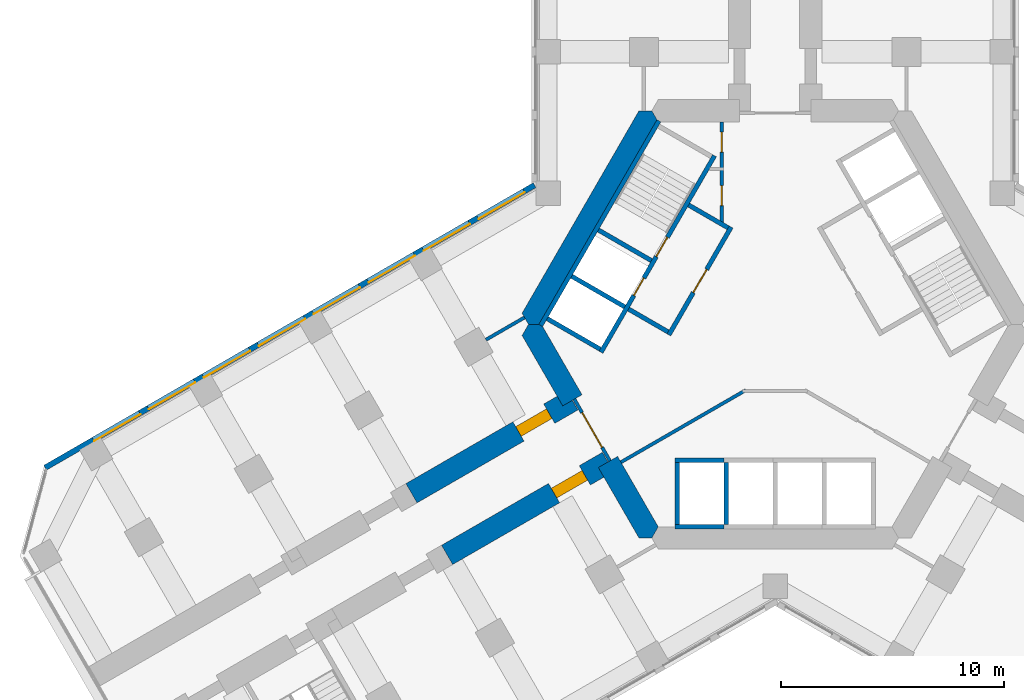
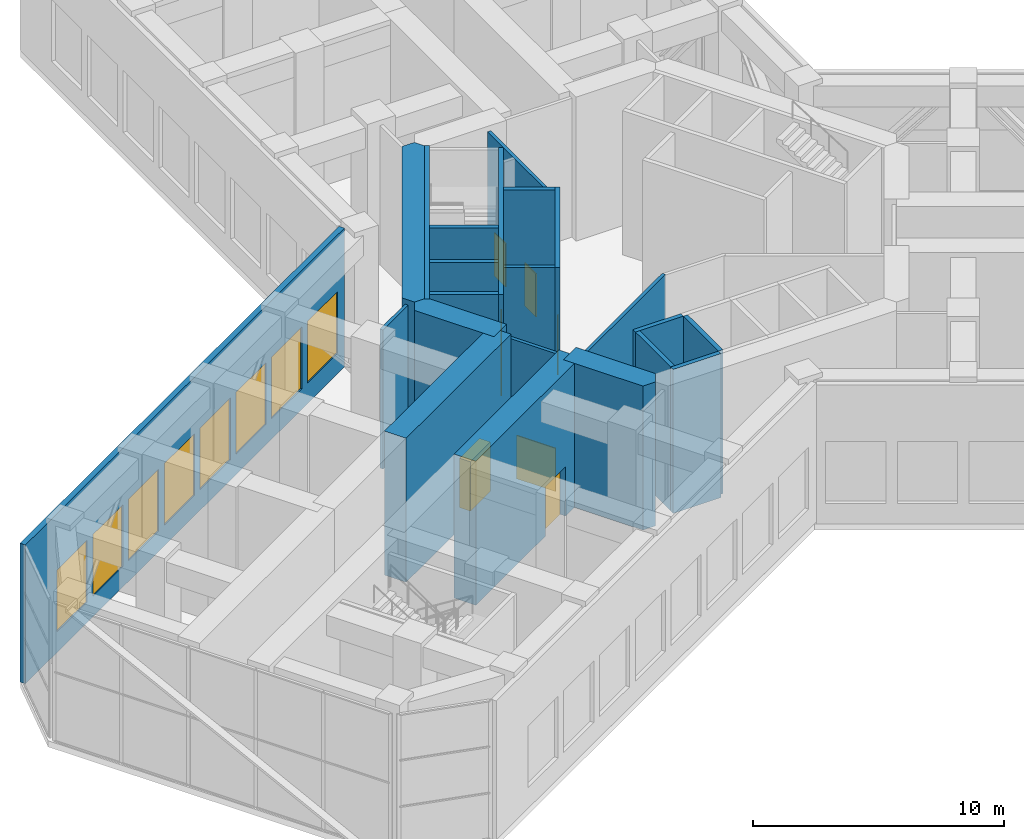
# One storey, part 11 of 17: 22 walls, 8 doors, 8 windows, 16 openings.
"""IFC4 building model written with IfcOpenShell, lengths in metres."""

import ifcopenshell
import ifcopenshell.guid

model = None  # the IFC model being written
_history = None  # IfcOwnerHistory: only IFC2X3 demands one
_inside = {}  # id of a spatial element -> (the spatial element, [elements in it])
_under = {}  # id of a project, library or spatial element -> (it, [spatial elements below it])
_declared = {}  # id of a project -> (the project, [libraries it declares])
_typed = {}  # id of a type object -> (the type object, [elements of that type])
_made_of = {}  # id of a material, layer set ... -> (it, [elements and type objects made of it])


def new_model(schema):
    """Start an empty IFC model of exactly this schema.

    Asked for "IFC4X3", IfcOpenShell would pick the latest addendum, in which some entities
    have other attributes; the version numbers below select the first issue.
    IFC2X3 requires an IfcOwnerHistory on every rooted entity: one is made here for all.
    """
    global model, _history
    if schema == "IFC4X3":
        model = ifcopenshell.file(schema_version=(4, 3, 0, 0))
    else:
        model = ifcopenshell.file(schema=schema)
    _inside.clear()
    _under.clear()
    _declared.clear()
    _typed.clear()
    _made_of.clear()
    _history = None
    if model.schema == "IFC2X3":
        org = make("IfcOrganization", Name="unknown")
        user = make(
            "IfcPersonAndOrganization",
            ThePerson=make("IfcPerson", FamilyName="unknown"),
            TheOrganization=org,
        )
        app = make(
            "IfcApplication",
            ApplicationDeveloper=org,
            Version="unknown",
            ApplicationFullName="unknown",
            ApplicationIdentifier="unknown",
        )
        _history = make(
            "IfcOwnerHistory",
            OwningUser=user,
            OwningApplication=app,
            ChangeAction="ADDED",
            CreationDate=0,
        )
    return model


def make(cls, **values):
    """One entity of the class cls with the attributes given. An attribute that is None is left unset."""
    return model.create_entity(
        cls, **{name: value for name, value in values.items() if value is not None}
    )


def rooted(cls, **values):
    """An entity with a GlobalId (a new one), such as an element, a storey or a relation."""
    return make(cls, GlobalId=ifcopenshell.guid.new(), OwnerHistory=_history, **values)


def si_unit(unit_type, name, prefix=None):
    """IfcSIUnit, for example si_unit("LENGTHUNIT", "METRE", prefix="MILLI")."""
    return make("IfcSIUnit", UnitType=unit_type, Prefix=prefix, Name=name)


def assignment(units):
    """IfcUnitAssignment: the units of a project."""
    return None if units is None else make("IfcUnitAssignment", Units=units)


def point(xyz):
    """IfcCartesianPoint."""
    return None if xyz is None else make("IfcCartesianPoint", Coordinates=xyz)


def direction(xyz):
    """IfcDirection."""
    return None if xyz is None else make("IfcDirection", DirectionRatios=xyz)


def frame(location, z_axis=None, x_axis=None):
    """IfcAxis2Placement3D, a coordinate frame: its origin and axes. An axis left out is left unset."""
    return make(
        "IfcAxis2Placement3D",
        Location=point(location),
        Axis=direction(z_axis),
        RefDirection=direction(x_axis),
    )


def frame_2d(location, x_axis=None):
    """IfcAxis2Placement2D, a coordinate frame in the plane: its origin and x axis."""
    return make(
        "IfcAxis2Placement2D", Location=point(location), RefDirection=direction(x_axis)
    )


def origin():
    """The frame at (0, 0, 0) with its axes left unset."""
    return frame((0.0, 0.0, 0.0))


def place(relative_to, where):
    """IfcLocalPlacement: puts the frame where relative to a parent placement (None: the world)."""
    return make(
        "IfcLocalPlacement", PlacementRelTo=relative_to, RelativePlacement=where
    )


def context(
    kind, dimensions, precision=None, world=None, true_north=None, identifier=None
):
    """IfcGeometricRepresentationContext, for example the 3D "Model" context."""
    return make(
        "IfcGeometricRepresentationContext",
        ContextIdentifier=identifier,
        ContextType=kind,
        CoordinateSpaceDimension=dimensions,
        Precision=precision,
        WorldCoordinateSystem=world,
        TrueNorth=true_north,
    )


def subcontext(parent, identifier, kind, view, scale=None):
    """IfcGeometricRepresentationSubContext, for example "Body" below "Model"."""
    return make(
        "IfcGeometricRepresentationSubContext",
        ContextIdentifier=identifier,
        ContextType=kind,
        ParentContext=parent,
        TargetScale=scale,
        TargetView=view,
    )


def project(units=None, contexts=None):
    """IfcProject with its units and contexts."""
    return rooted(
        "IfcProject",
        Name="project",
        RepresentationContexts=contexts,
        UnitsInContext=assignment(units),
    )


def spatial(cls, under=None, at=None, **own):
    """A site, building, storey or space (cls), placed at a placement, below another one or the project."""
    s = rooted(cls, ObjectPlacement=at, **own)
    if under is not None:
        _under.setdefault(under.id(), (under, []))[1].append(s)
    return s


def polyline(points):
    """IfcPolyline through the points."""
    return make("IfcPolyline", Points=[point(p) for p in points])


def profile(cls, at=None, kind="AREA", **sizes):
    """A parametric profile (cls). Its sizes go by their IFC names, for example OverallWidth=200.0."""
    return make(cls, ProfileType=kind, Position=at, **sizes)


def rectangle(**sizes):
    """IfcRectangleProfileDef."""
    return profile("IfcRectangleProfileDef", **sizes)


def outline(outer, holes=None, kind="AREA"):
    """IfcArbitraryClosedProfileDef: a profile drawn as a closed curve; with holes, ...WithVoids."""
    if holes is None:
        return make("IfcArbitraryClosedProfileDef", ProfileType=kind, OuterCurve=outer)
    return make(
        "IfcArbitraryProfileDefWithVoids",
        ProfileType=kind,
        OuterCurve=outer,
        InnerCurves=holes,
    )


def extrude(swept, where, along, depth):
    """IfcExtrudedAreaSolid: the profile swept, set in the frame where, extruded along a direction by depth."""
    return make(
        "IfcExtrudedAreaSolid",
        SweptArea=swept,
        Position=where,
        ExtrudedDirection=direction(along),
        Depth=depth,
    )


def shape(context_of_items, identifier, shape_type, items):
    """IfcShapeRepresentation: the items that make up one representation, for example the "Body"."""
    return make(
        "IfcShapeRepresentation",
        ContextOfItems=context_of_items,
        RepresentationIdentifier=identifier,
        RepresentationType=shape_type,
        Items=items,
    )


def material(Name=None, Category=None):
    """IfcMaterial."""
    return make("IfcMaterial", Name=Name, Category=Category)


def layer(
    of_material, thickness, ventilated=None, Name=None, Category=None, Priority=None
):
    """IfcMaterialLayer: one layer of a wall or slab, of a material (None: an air gap)."""
    return make(
        "IfcMaterialLayer",
        Material=of_material,
        LayerThickness=thickness,
        IsVentilated=ventilated,
        Name=Name,
        Category=Category,
        Priority=Priority,
    )


def layer_set(layers, Name=None):
    """IfcMaterialLayerSet."""
    return make("IfcMaterialLayerSet", MaterialLayers=layers, LayerSetName=Name)


def made_of(thing, what):
    """Note that an element or type object is made of a material, layer set ...; save() writes the relation."""
    if what is not None:
        _made_of.setdefault(what.id(), (what, []))[1].append(thing)
    return thing


def type_object(cls, material=None, **own):
    """A type object (cls), such as IfcWallType, which elements share."""
    return made_of(rooted(cls, **own), material)


def element(
    cls,
    number,
    at=None,
    inside=None,
    cuts=None,
    type_object=None,
    material=None,
    context=None,
    identifier="Body",
    shape_type=None,
    held_by="IfcProductDefinitionShape",
    body=None,
    shapes=None,
    **own,
):
    """One element of the class cls, such as IfcWall. Its Tag is "e" and its number.

    at: its placement. inside: the storey or other place that contains it. cuts: it is an
    opening in that element (IfcRelVoidsElement). A single representation is given by context,
    identifier, shape_type and body (its items); several are given by shapes. held_by: the class
    of the entity that holds the representations. save() writes the other relations.
    """
    e = rooted(cls, Tag="e%d" % number, ObjectPlacement=at, **own)
    if body is not None:
        shapes = [shape(context, identifier, shape_type, body)]
    if shapes is not None:
        e.Representation = make(held_by, Representations=shapes)
    if inside is not None:
        _inside.setdefault(inside.id(), (inside, []))[1].append(e)
    if cuts is not None:
        rooted(
            "IfcRelVoidsElement", RelatingBuildingElement=cuts, RelatedOpeningElement=e
        )
    if type_object is not None:
        _typed.setdefault(type_object.id(), (type_object, []))[1].append(e)
    return made_of(e, material)


def fill(opening, filler):
    """IfcRelFillsElement: the door or window that sits in an opening."""
    return rooted(
        "IfcRelFillsElement",
        RelatingOpeningElement=opening,
        RelatedBuildingElement=filler,
    )


def aggregate(whole, parts):
    """IfcRelAggregates: a whole, such as a stair, and the parts it consists of."""
    return rooted("IfcRelAggregates", RelatingObject=whole, RelatedObjects=parts)


def save(model, path):
    """Write the relations noted so far, then the file.

    IfcRelAggregates (storeys below a building ...), IfcRelContainedInSpatialStructure (elements
    in a storey), IfcRelDefinesByType, IfcRelAssociatesMaterial and IfcRelDeclares: one each for
    every whole, place, type object, material and project.
    """
    for whole, parts in _under.values():
        aggregate(whole, parts)
    for where, things in _inside.values():
        rooted(
            "IfcRelContainedInSpatialStructure",
            RelatedElements=things,
            RelatingStructure=where,
        )
    for kind, things in _typed.values():
        rooted("IfcRelDefinesByType", RelatedObjects=things, RelatingType=kind)
    for what, things in _made_of.values():
        rooted("IfcRelAssociatesMaterial", RelatedObjects=things, RelatingMaterial=what)
    for by, libraries in _declared.values():
        rooted("IfcRelDeclares", RelatingContext=by, RelatedDefinitions=libraries)
    model.write(path)


model = new_model("IFC4")

# Units and contexts
model_context = context("Model", 3, precision=1e-05, world=origin(), true_north=direction((0.0, 1.0)))
body_context = subcontext(model_context, "Body", "Model", "MODEL_VIEW")
ifc_project = project(units=[si_unit("LENGTHUNIT", "METRE"), si_unit("AREAUNIT", "SQUARE_METRE"), si_unit("VOLUMEUNIT", "CUBIC_METRE"), si_unit("PLANEANGLEUNIT", "RADIAN"), si_unit("MASSUNIT", "GRAM", prefix="KILO")], contexts=[model_context])

# Site, building, storey
site_placement = place(None, origin())
site = spatial("IfcSite", under=ifc_project, at=site_placement, CompositionType="ELEMENT")
building_placement = place(site_placement, origin())
building = spatial("IfcBuilding", under=site, at=building_placement, Name="Kosmar Iwan School Tower", CompositionType="ELEMENT")
storey_placement = place(building_placement, frame((0.0, 0.0, 32.39990234375)))
storey = spatial("IfcBuildingStorey", under=building, at=storey_placement, Name="L07", CompositionType="ELEMENT", Elevation=32.39990234375)

# Wall, openings, doors
ifc_material_1 = material(Name="Gypsum board on steel studs, fire-rated", Category="steel")
ifc_layer_1 = layer(ifc_material_1, 0.14990234375)
ifc_layer_set_1 = layer_set([ifc_layer_1], Name="Core room partition 150")
wall_type_1 = type_object("IfcWallType", Name="Core room partition 150", PredefinedType="PARTITIONING", material=ifc_layer_set_1)
wall_1_placement = place(storey_placement, frame((-2.39990234375, 9.094970703125, 0.0), z_axis=(0.0, 0.0, 1.0), x_axis=(0.0, -1.0, 0.0)))
wall_1 = element("IfcWall", 1, at=wall_1_placement, inside=storey, type_object=wall_type_1, Name="Core room partition L07-CW1", PredefinedType="PARTITIONING", context=body_context, shape_type="SweptSolid", body=[
    extrude(rectangle(XDim=4.564208984375, YDim=0.14990234375, at=frame_2d((2.2822265625, 0.0))), origin(), (0.0, 0.0, 1.0), 6.75),
])
opening_1_placement = place(wall_1_placement, frame((0.455078125, 0.0, 0.0)))
opening_1 = element("IfcOpeningElement", 2, at=opening_1_placement, cuts=wall_1, Name="Opening D14", PredefinedType="OPENING", context=body_context, shape_type="SweptSolid", body=[
    extrude(rectangle(XDim=0.89990234375, YDim=2.10009765625, at=frame_2d((0.449951171875, 1.050048828125))), frame((0.0, 0.0869140625, 0.0), z_axis=(0.0, -1.0, 0.0), x_axis=(1.0, 0.0, 0.0)), (0.0, 0.0, 1.0), 0.173828125),
])
opening_2_placement = place(wall_1_placement, frame((2.85498046875, 0.0, 0.0)))
opening_2 = element("IfcOpeningElement", 3, at=opening_2_placement, cuts=wall_1, Name="Opening D14", PredefinedType="OPENING", context=body_context, shape_type="SweptSolid", body=[
    extrude(rectangle(XDim=0.89990234375, YDim=2.10009765625, at=frame_2d((0.449951171875, 1.050048828125))), frame((0.0, 0.0869140625, 0.0), z_axis=(0.0, -1.0, 0.0), x_axis=(1.0, 0.0, 0.0)), (0.0, 0.0, 1.0), 0.173828125),
])
ifc_material_2 = material(Name="Timber fire door in steel frame", Category="steel")
door_type_1 = type_object("IfcDoorType", Name="Core room door 900x2100", OperationType="SINGLE_SWING_LEFT", PredefinedType="DOOR", material=ifc_material_2)
door_1_placement = place(opening_1_placement, origin())
door_1 = element("IfcDoor", 4, at=door_1_placement, inside=storey, type_object=door_type_1, Name="Electrical riser and switch room door L07 1", OperationType="SINGLE_SWING_LEFT", OverallHeight=2.10009765625, OverallWidth=0.89990234375, PredefinedType="DOOR", context=body_context, shape_type="SweptSolid", body=[
    extrude(rectangle(XDim=0.89990234375, YDim=2.10009765625, at=frame_2d((0.449951171875, 1.050048828125))), frame((0.0, 0.02490234375, 0.0), z_axis=(0.0, -1.0, 0.0), x_axis=(1.0, 0.0, 0.0)), (0.0, 0.0, 1.0), 0.050048828125),
])
fill(opening_1, door_1)
door_2_placement = place(opening_2_placement, origin())
door_2 = element("IfcDoor", 5, at=door_2_placement, inside=storey, type_object=door_type_1, Name="Plumbing and wet riser door L07 2", OperationType="SINGLE_SWING_RIGHT", OverallHeight=2.10009765625, OverallWidth=0.89990234375, PredefinedType="DOOR", context=body_context, shape_type="SweptSolid", body=[
    extrude(rectangle(XDim=0.89990234375, YDim=2.10009765625, at=frame_2d((0.449951171875, 1.050048828125))), frame((0.0, 0.02490234375, 0.0), z_axis=(0.0, -1.0, 0.0), x_axis=(1.0, 0.0, 0.0)), (0.0, 0.0, 1.0), 0.050048828125),
])
fill(opening_2, door_2)

# Walls
wall_2_placement = place(storey_placement, frame((-6.930908203125, -6.195556640625, 0.0), z_axis=(0.0, 0.0, 1.0), x_axis=(0.866031188953, 0.499989979661, 0.0)))
element("IfcWall", 6, at=wall_2_placement, inside=storey, type_object=wall_type_1, Name="Core room partition L07-CW5", PredefinedType="PARTITIONING", context=body_context, shape_type="SweptSolid", body=[
    extrude(rectangle(XDim=6.477783203125, YDim=0.14990234375, at=frame_2d((3.23876953125, 0.0))), origin(), (0.0, 0.0, 1.0), 6.75),
])
ifc_material_3 = material(Name="Concrete C50/60", Category="concrete")
ifc_layer_2 = layer(ifc_material_3, 1.0)
ifc_layer_set_2 = layer_set([ifc_layer_2], Name="Core wall 1000")
wall_type_2 = type_object("IfcWallType", Name="Core wall 1000", PredefinedType="SHEAR", material=ifc_layer_set_2)
wall_3_placement = place(storey_placement, origin())
element("IfcWall", 7, at=wall_3_placement, inside=storey, type_object=wall_type_2, Name="Core wall F150", PredefinedType="SHEAR", context=body_context, shape_type="SweptSolid", body=[
    extrude(outline(polyline([(-11.085205078125, 0.0), (-10.5078125, 0.0), (-5.25390625, 9.10009765625), (-5.54248046875, 9.60009765625), (-6.119873046875, 9.60009765625), (-11.373779296875, 0.5), (-11.085205078125, 0.0)])), origin(), (0.0, 0.0, 1.0), 7.0),
])
wall_4_placement = place(storey_placement, origin())
element("IfcWall", 8, at=wall_4_placement, inside=storey, type_object=wall_type_2, Name="Core wall F210a", PredefinedType="SHEAR", context=body_context, shape_type="SweptSolid", body=[
    extrude(outline(polyline([(-9.546875, -3.664306640625), (-8.680908203125, -3.164306640625), (-10.5078125, 0.0), (-11.085205078125, 0.0), (-11.373779296875, -0.5), (-9.546875, -3.664306640625)])), origin(), (0.0, 0.0, 1.0), 7.0),
])
wall_5_placement = place(storey_placement, origin())
element("IfcWall", 9, at=wall_5_placement, inside=storey, type_object=wall_type_2, Name="Core wall F210b", PredefinedType="SHEAR", context=body_context, shape_type="SweptSolid", body=[
    extrude(outline(polyline([(-6.119873046875, -9.60009765625), (-5.54248046875, -9.60009765625), (-5.25390625, -9.10009765625), (-7.080810546875, -5.935546875), (-7.94677734375, -6.435546875), (-6.119873046875, -9.60009765625)])), origin(), (0.0, 0.0, 1.0), 7.0),
])

# Wall, opening, door
ifc_material_4 = material(Name="Concrete C50/60", Category="concrete")
ifc_layer_3 = layer(ifc_material_4, 1.0)
ifc_layer_set_3 = layer_set([ifc_layer_3], Name="Corridor buttress wall 1000")
wall_type_3 = type_object("IfcWallType", Name="Corridor buttress wall 1000", PredefinedType="SHEAR", material=ifc_layer_set_3)
wall_6_placement = place(storey_placement, frame((-7.513916015625, -6.185546875, 0.0), z_axis=(0.0, 0.0, 1.0), x_axis=(-0.866019549707, -0.500010139422, 0.0)))
wall_6 = element("IfcWall", 10, at=wall_6_placement, inside=storey, type_object=wall_type_3, Name="Corridor wall BL", PredefinedType="SHEAR", context=body_context, shape_type="SweptSolid", body=[
    extrude(rectangle(XDim=8.349853515625, YDim=1.0, at=frame_2d((4.1748046875, 0.0))), origin(), (0.0, 0.0, 1.0), 7.0),
])
opening_3_placement = place(wall_6_placement, frame((1.199951171875, 0.0, 0.0)))
opening_3 = element("IfcOpeningElement", 11, at=opening_3_placement, cuts=wall_6, Name="Opening D5", PredefinedType="OPENING", context=body_context, shape_type="SweptSolid", body=[
    extrude(rectangle(XDim=1.60009765625, YDim=2.39990234375, at=frame_2d((0.800048828125, 1.199951171875))), frame((0.0, 0.511962890625, 0.0), z_axis=(0.0, -1.0, 0.0), x_axis=(1.0, 0.0, 0.0)), (0.0, 0.0, 1.0), 1.02392578125),
])
ifc_material_5 = material(Name="Steel fire door", Category="steel")
door_type_2 = type_object("IfcDoorType", Name="Plant room door pair 1600x2400", OperationType="DOUBLE_DOOR_SINGLE_SWING", PredefinedType="DOOR", material=ifc_material_5)
door_3_placement = place(opening_3_placement, origin())
door_3 = element("IfcDoor", 12, at=door_3_placement, inside=storey, type_object=door_type_2, Name="Refuge area door L07-BL1", OperationType="DOUBLE_DOOR_SINGLE_SWING", OverallHeight=2.39990234375, OverallWidth=1.60009765625, PredefinedType="DOOR", context=body_context, shape_type="SweptSolid", body=[
    extrude(rectangle(XDim=1.60009765625, YDim=2.39990234375, at=frame_2d((0.800048828125, 1.199951171875))), frame((0.0, 0.25, 0.0), z_axis=(0.0, -1.0, 0.0), x_axis=(1.0, 0.0, 0.0)), (0.0, 0.0, 1.0), 0.5),
])
fill(opening_3, door_3)

wall_7_placement = place(storey_placement, frame((-9.11376953125, -3.414306640625, 0.0), z_axis=(0.0, 0.0, 1.0), x_axis=(-0.866026859388, -0.499997478812, 0.0)))
wall_7 = element("IfcWall", 13, at=wall_7_placement, inside=storey, type_object=wall_type_3, Name="Corridor wall BR", PredefinedType="SHEAR", context=body_context, shape_type="SweptSolid", body=[
    extrude(rectangle(XDim=8.35009765625, YDim=1.0, at=frame_2d((4.175048828125, 0.0))), origin(), (0.0, 0.0, 1.0), 7.0),
])
opening_4_placement = place(wall_7_placement, frame((1.199951171875, 0.0, 0.0)))
opening_4 = element("IfcOpeningElement", 14, at=opening_4_placement, cuts=wall_7, Name="Opening D5", PredefinedType="OPENING", context=body_context, shape_type="SweptSolid", body=[
    extrude(rectangle(XDim=1.60009765625, YDim=2.39990234375, at=frame_2d((0.800048828125, 1.199951171875))), frame((0.0, 0.511962890625, 0.0), z_axis=(0.0, -1.0, 0.0), x_axis=(1.0, 0.0, 0.0)), (0.0, 0.0, 1.0), 1.02392578125),
])
door_4_placement = place(opening_4_placement, origin())
door_4 = element("IfcDoor", 15, at=door_4_placement, inside=storey, type_object=door_type_2, Name="Refuge area door L07-BR1", OperationType="DOUBLE_DOOR_SINGLE_SWING", OverallHeight=2.39990234375, OverallWidth=1.60009765625, PredefinedType="DOOR", context=body_context, shape_type="SweptSolid", body=[
    extrude(rectangle(XDim=1.60009765625, YDim=2.39990234375, at=frame_2d((0.800048828125, 1.199951171875))), frame((0.0, 0.25, 0.0), z_axis=(0.0, -1.0, 0.0), x_axis=(1.0, 0.0, 0.0)), (0.0, 0.0, 1.0), 0.5),
])
fill(opening_4, door_4)

ifc_material_6 = material(Name="Steel framed glazed screen", Category="steel")
ifc_layer_4 = layer(ifc_material_6, 0.14990234375)
ifc_layer_set_4 = layer_set([ifc_layer_4], Name="Corridor screen wall 150")
wall_type_4 = type_object("IfcWallType", Name="Corridor screen wall 150", PredefinedType="PARTITIONING", material=ifc_layer_set_4)
wall_8_placement = place(storey_placement, frame((-9.02734375, -3.3642578125, 0.0), z_axis=(0.0, 0.0, 1.0), x_axis=(0.499995408039, -0.866028054938, 0.0)))
wall_8 = element("IfcWall", 16, at=wall_8_placement, inside=storey, type_object=wall_type_4, Name="Corridor screen B L07", PredefinedType="PARTITIONING", context=body_context, shape_type="SweptSolid", body=[
    extrude(rectangle(XDim=3.2001953125, YDim=0.14990234375, at=frame_2d((1.60009765625, 0.0))), origin(), (0.0, 0.0, 1.0), 6.75),
])
opening_5_placement = place(wall_8_placement, frame((0.699951171875, 0.0, 0.0)))
opening_5 = element("IfcOpeningElement", 17, at=opening_5_placement, cuts=wall_8, Name="Opening D9", PredefinedType="OPENING", context=body_context, shape_type="SweptSolid", body=[
    extrude(rectangle(XDim=1.800048828125, YDim=2.10009765625, at=frame_2d((0.89990234375, 1.050048828125))), frame((0.0, 0.0869140625, 0.0), z_axis=(0.0, -1.0, 0.0), x_axis=(1.0, 0.0, 0.0)), (0.0, 0.0, 1.0), 0.173828125),
])
ifc_material_7 = material(Name="Steel framed glazed smoke door", Category="steel")
door_type_3 = type_object("IfcDoorType", Name="Corridor smoke door pair 1800x2100", OperationType="DOUBLE_DOOR_DOUBLE_SWING", PredefinedType="DOOR", material=ifc_material_7)
door_5_placement = place(opening_5_placement, origin())
door_5 = element("IfcDoor", 18, at=door_5_placement, inside=storey, type_object=door_type_3, Name="Corridor doors B L07", OperationType="DOUBLE_DOOR_DOUBLE_SWING", OverallHeight=2.10009765625, OverallWidth=1.800048828125, PredefinedType="DOOR", context=body_context, shape_type="SweptSolid", body=[
    extrude(rectangle(XDim=1.800048828125, YDim=2.10009765625, at=frame_2d((0.89990234375, 1.050048828125))), frame((0.0, 0.02490234375, 0.0), z_axis=(0.0, -1.0, 0.0), x_axis=(1.0, 0.0, 0.0)), (0.0, 0.0, 1.0), 0.050048828125),
])
fill(opening_5, door_5)

# Wall, openings, windows
ifc_material_8 = material(Name="Black aluminium rainscreen on insulated framing", Category="aluminium")
ifc_layer_5 = layer(ifc_material_8, 0.25)
ifc_layer_set_5 = layer_set([ifc_layer_5], Name="External wall rainscreen 250")
wall_type_5 = type_object("IfcWallType", Name="External wall rainscreen 250", PredefinedType="SOLIDWALL", material=ifc_layer_set_5)
wall_9_placement = place(storey_placement, frame((-10.8125, 6.257080078125, 0.0), z_axis=(0.0, 0.0, 1.0), x_axis=(-0.86602648281, -0.499998131069, 0.0)))
wall_9 = element("IfcWall", 19, at=wall_9_placement, inside=storey, type_object=wall_type_5, Name="External wall BR L07", PredefinedType="SOLIDWALL", context=body_context, shape_type="SweptSolid", body=[
    extrude(rectangle(XDim=25.39990234375, YDim=0.25, at=frame_2d((12.699951171875, 0.0))), origin(), (0.0, 0.0, 1.0), 6.75),
])
opening_6_placement = place(wall_9_placement, frame((0.53955078125, 0.0, 1.0)))
opening_6 = element("IfcOpeningElement", 20, at=opening_6_placement, cuts=wall_9, Name="Opening LV1", PredefinedType="OPENING", context=body_context, shape_type="SweptSolid", body=[
    extrude(rectangle(XDim=2.39990234375, YDim=3.0, at=frame_2d((1.199951171875, 1.5))), frame((0.0, 0.136962890625, 0.0), z_axis=(0.0, -1.0, 0.0), x_axis=(1.0, 0.0, 0.0)), (0.0, 0.0, 1.0), 0.27392578125),
])
opening_7_placement = place(wall_9_placement, frame((3.3896484375, 0.0, 1.0)))
opening_7 = element("IfcOpeningElement", 21, at=opening_7_placement, cuts=wall_9, Name="Opening LV1", PredefinedType="OPENING", context=body_context, shape_type="SweptSolid", body=[
    extrude(rectangle(XDim=2.39990234375, YDim=3.0, at=frame_2d((1.199951171875, 1.5))), frame((0.0, 0.136962890625, 0.0), z_axis=(0.0, -1.0, 0.0), x_axis=(1.0, 0.0, 0.0)), (0.0, 0.0, 1.0), 0.27392578125),
])
opening_8_placement = place(wall_9_placement, frame((6.23974609375, 0.0, 1.0)))
opening_8 = element("IfcOpeningElement", 22, at=opening_8_placement, cuts=wall_9, Name="Opening LV1", PredefinedType="OPENING", context=body_context, shape_type="SweptSolid", body=[
    extrude(rectangle(XDim=2.39990234375, YDim=3.0, at=frame_2d((1.199951171875, 1.5))), frame((0.0, 0.136962890625, 0.0), z_axis=(0.0, -1.0, 0.0), x_axis=(1.0, 0.0, 0.0)), (0.0, 0.0, 1.0), 0.27392578125),
])
opening_9_placement = place(wall_9_placement, frame((9.089599609375, 0.0, 1.0)))
opening_9 = element("IfcOpeningElement", 23, at=opening_9_placement, cuts=wall_9, Name="Opening LV1", PredefinedType="OPENING", context=body_context, shape_type="SweptSolid", body=[
    extrude(rectangle(XDim=2.39990234375, YDim=3.0, at=frame_2d((1.199951171875, 1.5))), frame((0.0, 0.136962890625, 0.0), z_axis=(0.0, -1.0, 0.0), x_axis=(1.0, 0.0, 0.0)), (0.0, 0.0, 1.0), 0.27392578125),
])
opening_10_placement = place(wall_9_placement, frame((11.939697265625, 0.0, 1.0)))
opening_10 = element("IfcOpeningElement", 24, at=opening_10_placement, cuts=wall_9, Name="Opening LV1", PredefinedType="OPENING", context=body_context, shape_type="SweptSolid", body=[
    extrude(rectangle(XDim=2.39990234375, YDim=3.0, at=frame_2d((1.199951171875, 1.5))), frame((0.0, 0.136962890625, 0.0), z_axis=(0.0, -1.0, 0.0), x_axis=(1.0, 0.0, 0.0)), (0.0, 0.0, 1.0), 0.27392578125),
])
opening_11_placement = place(wall_9_placement, frame((14.78955078125, 0.0, 1.0)))
opening_11 = element("IfcOpeningElement", 25, at=opening_11_placement, cuts=wall_9, Name="Opening LV1", PredefinedType="OPENING", context=body_context, shape_type="SweptSolid", body=[
    extrude(rectangle(XDim=2.39990234375, YDim=3.0, at=frame_2d((1.199951171875, 1.5))), frame((0.0, 0.136962890625, 0.0), z_axis=(0.0, -1.0, 0.0), x_axis=(1.0, 0.0, 0.0)), (0.0, 0.0, 1.0), 0.27392578125),
])
opening_12_placement = place(wall_9_placement, frame((17.6396484375, 0.0, 1.0)))
opening_12 = element("IfcOpeningElement", 26, at=opening_12_placement, cuts=wall_9, Name="Opening LV1", PredefinedType="OPENING", context=body_context, shape_type="SweptSolid", body=[
    extrude(rectangle(XDim=2.39990234375, YDim=3.0, at=frame_2d((1.199951171875, 1.5))), frame((0.0, 0.136962890625, 0.0), z_axis=(0.0, -1.0, 0.0), x_axis=(1.0, 0.0, 0.0)), (0.0, 0.0, 1.0), 0.27392578125),
])
opening_13_placement = place(wall_9_placement, frame((20.48974609375, 0.0, 1.0)))
opening_13 = element("IfcOpeningElement", 27, at=opening_13_placement, cuts=wall_9, Name="Opening LV1", PredefinedType="OPENING", context=body_context, shape_type="SweptSolid", body=[
    extrude(rectangle(XDim=2.39990234375, YDim=3.0, at=frame_2d((1.199951171875, 1.5))), frame((0.0, 0.136962890625, 0.0), z_axis=(0.0, -1.0, 0.0), x_axis=(1.0, 0.0, 0.0)), (0.0, 0.0, 1.0), 0.27392578125),
])
ifc_material_9 = material(Name="Black aluminium louvre", Category="aluminium")
window_type = type_object("IfcWindowType", Name="Plant louvre 2400x3000", PartitioningType="SINGLE_PANEL", PredefinedType="USERDEFINED", material=ifc_material_9)
window_1_placement = place(opening_6_placement, origin())
window_1 = element("IfcWindow", 28, at=window_1_placement, inside=storey, type_object=window_type, Name="Window BR L07 -1", ObjectType="LOUVRE", OverallHeight=3.0, OverallWidth=2.39990234375, PartitioningType="SINGLE_PANEL", PredefinedType="USERDEFINED", context=body_context, shape_type="SweptSolid", body=[
    extrude(rectangle(XDim=2.39990234375, YDim=3.0, at=frame_2d((1.199951171875, 1.5))), frame((0.0, 0.070068359375, 0.0), z_axis=(0.0, -1.0, 0.0), x_axis=(1.0, 0.0, 0.0)), (0.0, 0.0, 1.0), 0.02001953125),
])
fill(opening_6, window_1)
window_2_placement = place(opening_7_placement, origin())
window_2 = element("IfcWindow", 29, at=window_2_placement, inside=storey, type_object=window_type, Name="Window BR L07 0", ObjectType="LOUVRE", OverallHeight=3.0, OverallWidth=2.39990234375, PartitioningType="SINGLE_PANEL", PredefinedType="USERDEFINED", context=body_context, shape_type="SweptSolid", body=[
    extrude(rectangle(XDim=2.39990234375, YDim=3.0, at=frame_2d((1.199951171875, 1.5))), frame((0.0, 0.070068359375, 0.0), z_axis=(0.0, -1.0, 0.0), x_axis=(1.0, 0.0, 0.0)), (0.0, 0.0, 1.0), 0.02001953125),
])
fill(opening_7, window_2)
window_3_placement = place(opening_8_placement, origin())
window_3 = element("IfcWindow", 30, at=window_3_placement, inside=storey, type_object=window_type, Name="Window BR L07 1", ObjectType="LOUVRE", OverallHeight=3.0, OverallWidth=2.39990234375, PartitioningType="SINGLE_PANEL", PredefinedType="USERDEFINED", context=body_context, shape_type="SweptSolid", body=[
    extrude(rectangle(XDim=2.39990234375, YDim=3.0, at=frame_2d((1.199951171875, 1.5))), frame((0.0, 0.070068359375, 0.0), z_axis=(0.0, -1.0, 0.0), x_axis=(1.0, 0.0, 0.0)), (0.0, 0.0, 1.0), 0.02001953125),
])
fill(opening_8, window_3)
window_4_placement = place(opening_9_placement, origin())
window_4 = element("IfcWindow", 31, at=window_4_placement, inside=storey, type_object=window_type, Name="Window BR L07 2", ObjectType="LOUVRE", OverallHeight=3.0, OverallWidth=2.39990234375, PartitioningType="SINGLE_PANEL", PredefinedType="USERDEFINED", context=body_context, shape_type="SweptSolid", body=[
    extrude(rectangle(XDim=2.39990234375, YDim=3.0, at=frame_2d((1.199951171875, 1.5))), frame((0.0, 0.070068359375, 0.0), z_axis=(0.0, -1.0, 0.0), x_axis=(1.0, 0.0, 0.0)), (0.0, 0.0, 1.0), 0.02001953125),
])
fill(opening_9, window_4)
window_5_placement = place(opening_10_placement, origin())
window_5 = element("IfcWindow", 32, at=window_5_placement, inside=storey, type_object=window_type, Name="Window BR L07 3", ObjectType="LOUVRE", OverallHeight=3.0, OverallWidth=2.39990234375, PartitioningType="SINGLE_PANEL", PredefinedType="USERDEFINED", context=body_context, shape_type="SweptSolid", body=[
    extrude(rectangle(XDim=2.39990234375, YDim=3.0, at=frame_2d((1.199951171875, 1.5))), frame((0.0, 0.070068359375, 0.0), z_axis=(0.0, -1.0, 0.0), x_axis=(1.0, 0.0, 0.0)), (0.0, 0.0, 1.0), 0.02001953125),
])
fill(opening_10, window_5)
window_6_placement = place(opening_11_placement, origin())
window_6 = element("IfcWindow", 33, at=window_6_placement, inside=storey, type_object=window_type, Name="Window BR L07 4", ObjectType="LOUVRE", OverallHeight=3.0, OverallWidth=2.39990234375, PartitioningType="SINGLE_PANEL", PredefinedType="USERDEFINED", context=body_context, shape_type="SweptSolid", body=[
    extrude(rectangle(XDim=2.39990234375, YDim=3.0, at=frame_2d((1.199951171875, 1.5))), frame((0.0, 0.070068359375, 0.0), z_axis=(0.0, -1.0, 0.0), x_axis=(1.0, 0.0, 0.0)), (0.0, 0.0, 1.0), 0.02001953125),
])
fill(opening_11, window_6)
window_7_placement = place(opening_12_placement, origin())
window_7 = element("IfcWindow", 34, at=window_7_placement, inside=storey, type_object=window_type, Name="Window BR L07 5", ObjectType="LOUVRE", OverallHeight=3.0, OverallWidth=2.39990234375, PartitioningType="SINGLE_PANEL", PredefinedType="USERDEFINED", context=body_context, shape_type="SweptSolid", body=[
    extrude(rectangle(XDim=2.39990234375, YDim=3.0, at=frame_2d((1.199951171875, 1.5))), frame((0.0, 0.070068359375, 0.0), z_axis=(0.0, -1.0, 0.0), x_axis=(1.0, 0.0, 0.0)), (0.0, 0.0, 1.0), 0.02001953125),
])
fill(opening_12, window_7)
window_8_placement = place(opening_13_placement, origin())
window_8 = element("IfcWindow", 35, at=window_8_placement, inside=storey, type_object=window_type, Name="Window BR L07 6", ObjectType="LOUVRE", OverallHeight=3.0, OverallWidth=2.39990234375, PartitioningType="SINGLE_PANEL", PredefinedType="USERDEFINED", context=body_context, shape_type="SweptSolid", body=[
    extrude(rectangle(XDim=2.39990234375, YDim=3.0, at=frame_2d((1.199951171875, 1.5))), frame((0.0, 0.070068359375, 0.0), z_axis=(0.0, -1.0, 0.0), x_axis=(1.0, 0.0, 0.0)), (0.0, 0.0, 1.0), 0.02001953125),
])
fill(opening_13, window_8)

# Wall, opening, door
ifc_material_10 = material(Name="Concrete block masonry", Category="masonry")
ifc_layer_6 = layer(ifc_material_10, 0.199951171875)
ifc_layer_set_6 = layer_set([ifc_layer_6], Name="Fire lobby wall 200")
wall_type_6 = type_object("IfcWallType", Name="Fire lobby wall 200", PredefinedType="PARTITIONING", material=ifc_layer_set_6)
wall_10_placement = place(storey_placement, frame((-1.9775390625, 4.374755859375, 0.0), z_axis=(0.0, 0.0, 1.0), x_axis=(-0.500016814911, -0.866015695474, 0.0)))
wall_10 = element("IfcWall", 36, at=wall_10_placement, inside=storey, type_object=wall_type_6, Name="Firefighting lobby wall ST2", PredefinedType="PARTITIONING", context=body_context, shape_type="SweptSolid", body=[
    extrude(rectangle(XDim=5.599853515625, YDim=0.199951171875, at=frame_2d((2.7998046875, 0.0))), origin(), (0.0, 0.0, 1.0), 6.75),
])
opening_14_placement = place(wall_10_placement, frame((2.199951171875, 0.0, 0.0)))
opening_14 = element("IfcOpeningElement", 37, at=opening_14_placement, cuts=wall_10, Name="Opening D7", PredefinedType="OPENING", context=body_context, shape_type="SweptSolid", body=[
    extrude(rectangle(XDim=1.199951171875, YDim=2.10009765625, at=frame_2d((0.60009765625, 1.050048828125))), frame((0.0, 0.112060546875, 0.0), z_axis=(0.0, -1.0, 0.0), x_axis=(1.0, 0.0, 0.0)), (0.0, 0.0, 1.0), 0.223876953125),
])
ifc_material_11 = material(Name="Steel fire door", Category="steel")
door_type_4 = type_object("IfcDoorType", Name="Fire lobby door 1200x2100", OperationType="SINGLE_SWING_LEFT", PredefinedType="DOOR", material=ifc_material_11)
door_6_placement = place(opening_14_placement, origin())
door_6 = element("IfcDoor", 38, at=door_6_placement, inside=storey, type_object=door_type_4, Name="Firefighting lobby door ST2 L07", OperationType="SINGLE_SWING_LEFT", OverallHeight=2.10009765625, OverallWidth=1.199951171875, PredefinedType="DOOR", context=body_context, shape_type="SweptSolid", body=[
    extrude(rectangle(XDim=1.199951171875, YDim=2.10009765625, at=frame_2d((0.60009765625, 1.050048828125))), frame((0.0, 0.02490234375, 0.0), z_axis=(0.0, -1.0, 0.0), x_axis=(1.0, 0.0, 0.0)), (0.0, 0.0, 1.0), 0.050048828125),
])
fill(opening_14, door_6)

# Walls
wall_11_placement = place(storey_placement, frame((-2.114013671875, 4.33837890625, 0.0), z_axis=(0.0, 0.0, 1.0), x_axis=(-0.866050731258, 0.499956128963, 0.0)))
element("IfcWall", 39, at=wall_11_placement, inside=storey, type_object=wall_type_6, Name="Firefighting lobby wall ST2", PredefinedType="PARTITIONING", context=body_context, shape_type="SweptSolid", body=[
    extrude(rectangle(XDim=2.050048828125, YDim=0.199951171875, at=frame_2d((1.02490234375, 0.0))), origin(), (0.0, 0.0, 1.0), 6.75),
])
wall_12_placement = place(storey_placement, frame((-4.814208984375, -0.33837890625, 0.0), z_axis=(0.0, 0.0, 1.0), x_axis=(-0.865969381856, 0.500097020274, 0.0)))
element("IfcWall", 40, at=wall_12_placement, inside=storey, type_object=wall_type_6, Name="Firefighting lobby wall ST2", PredefinedType="PARTITIONING", context=body_context, shape_type="SweptSolid", body=[
    extrude(rectangle(XDim=2.0498046875, YDim=0.199951171875, at=frame_2d((1.02490234375, 0.0))), origin(), (0.0, 0.0, 1.0), 6.75),
])

# Wall, openings, doors
ifc_material_12 = material(Name="Concrete C50/60", Category="concrete")
ifc_layer_7 = layer(ifc_material_12, 0.199951171875)
ifc_layer_set_7 = layer_set([ifc_layer_7], Name="Lift shaft wall 200")
wall_type_7 = type_object("IfcWallType", Name="Lift shaft wall 200", PredefinedType="SHEAR", material=ifc_layer_set_7)
wall_13_placement = place(storey_placement, frame((-2.72607421875, 7.578369140625, 0.0), z_axis=(0.0, 0.0, 1.0), x_axis=(-0.500005610874, -0.86602216432, 0.0)))
wall_13 = element("IfcWall", 41, at=wall_13_placement, inside=storey, type_object=wall_type_7, Name="Lift and stair front wall AB", PredefinedType="SHEAR", context=body_context, shape_type="SweptSolid", body=[
    extrude(rectangle(XDim=10.2001953125, YDim=0.199951171875, at=frame_2d((5.10009765625, 0.0))), origin(), (0.0, 0.0, 1.0), 7.0),
])
opening_15_placement = place(wall_13_placement, frame((6.35009765625, 0.0, 0.0)))
opening_15 = element("IfcOpeningElement", 42, at=opening_15_placement, cuts=wall_13, Name="Opening LD2", PredefinedType="OPENING", context=body_context, shape_type="SweptSolid", body=[
    extrude(rectangle(XDim=0.89990234375, YDim=2.10009765625, at=frame_2d((0.449951171875, 1.050048828125))), frame((0.0, 0.112060546875, 0.0), z_axis=(0.0, -1.0, 0.0), x_axis=(1.0, 0.0, 0.0)), (0.0, 0.0, 1.0), 0.223876953125),
])
opening_16_placement = place(wall_13_placement, frame((4.22998046875, 0.0, 0.0)))
opening_16 = element("IfcOpeningElement", 43, at=opening_16_placement, cuts=wall_13, Name="Opening D6", PredefinedType="OPENING", context=body_context, shape_type="SweptSolid", body=[
    extrude(rectangle(XDim=1.0, YDim=2.10009765625, at=frame_2d((0.5, 1.050048828125))), frame((0.0, 0.112060546875, 0.0), z_axis=(0.0, -1.0, 0.0), x_axis=(1.0, 0.0, 0.0)), (0.0, 0.0, 1.0), 0.223876953125),
])
ifc_material_13 = material(Name="Stainless steel sliding lift door", Category="steel")
door_type_5 = type_object("IfcDoorType", Name="Firefighting lift landing door 900x2100", OperationType="SLIDING_TO_LEFT", PredefinedType="DOOR", material=ifc_material_13)
door_7_placement = place(opening_15_placement, origin())
door_7 = element("IfcDoor", 44, at=door_7_placement, inside=storey, type_object=door_type_5, Name="Lift FF2 landing door L07", OperationType="SLIDING_TO_LEFT", OverallHeight=2.10009765625, OverallWidth=0.89990234375, PredefinedType="DOOR", context=body_context, shape_type="SweptSolid", body=[
    extrude(rectangle(XDim=0.89990234375, YDim=2.10009765625, at=frame_2d((0.449951171875, 1.050048828125))), frame((0.0, 0.02490234375, 0.0), z_axis=(0.0, -1.0, 0.0), x_axis=(1.0, 0.0, 0.0)), (0.0, 0.0, 1.0), 0.050048828125),
])
fill(opening_15, door_7)
ifc_material_14 = material(Name="Steel fire door", Category="steel")
door_type_6 = type_object("IfcDoorType", Name="Stair door 1000x2100", OperationType="SINGLE_SWING_LEFT", PredefinedType="DOOR", material=ifc_material_14)
door_8_placement = place(opening_16_placement, origin())
door_8 = element("IfcDoor", 45, at=door_8_placement, inside=storey, type_object=door_type_6, Name="Stair ST2 door L07", OperationType="SINGLE_SWING_LEFT", OverallHeight=2.10009765625, OverallWidth=1.0, PredefinedType="DOOR", context=body_context, shape_type="SweptSolid", body=[
    extrude(rectangle(XDim=1.0, YDim=2.10009765625, at=frame_2d((0.5, 1.050048828125))), frame((0.0, 0.02490234375, 0.0), z_axis=(0.0, -1.0, 0.0), x_axis=(1.0, 0.0, 0.0)), (0.0, 0.0, 1.0), 0.050048828125),
])
fill(opening_16, door_8)

# Walls
wall_14_placement = place(storey_placement, frame((-5.22509765625, 9.14990234375, 0.0), z_axis=(0.0, 0.0, 1.0), x_axis=(-0.499994998079, -0.866028291626, 0.0)))
element("IfcWall", 46, at=wall_14_placement, inside=storey, type_object=wall_type_7, Name="Lift and stair back wall AB", PredefinedType="SHEAR", context=body_context, shape_type="SweptSolid", body=[
    extrude(rectangle(XDim=10.623046875, YDim=0.199951171875, at=frame_2d((5.3115234375, 0.0))), origin(), (0.0, 0.0, 1.0), 7.0),
])
for number, where, z_axis, x_axis, name in (
    (47, (-6.7626953125, 0.78662109375, 0.0), (0.0, 0.0, 1.0), (-0.866027397988, 0.499996545922, 0.0), "Lift shaft wall AB 1"),
    (48, (-7.862548828125, -1.118408203125, 0.0), (0.0, 0.0, 1.0), (-0.866027397988, 0.499996545922, 0.0), "Lift shaft wall AB 2"),
):
    element("IfcWall", number, at=place(storey_placement, frame(where, z_axis=z_axis, x_axis=x_axis)), inside=storey, type_object=wall_type_7, Name=name, PredefinedType="SHEAR", context=body_context, shape_type="SweptSolid", body=[
        extrude(rectangle(XDim=2.75, YDim=0.199951171875, at=frame_2d((1.375, 0.0))), origin(), (0.0, 0.0, 1.0), 7.0),
    ])
for number, where, z_axis, x_axis, name in (
    (49, (-4.5, -6.10009765625, 0.0), (0.0, 0.0, 1.0), (1.0, 0.0, 0.0), "Lift and stair front wall BC"),
    (50, (-4.5, -9.10009765625, 0.0), (0.0, 0.0, 1.0), (1.0, 0.0, 0.0), "Lift and stair back wall BC"),
):
    element("IfcWall", number, at=place(storey_placement, frame(where, z_axis=z_axis, x_axis=x_axis)), inside=storey, type_object=wall_type_7, Name=name, PredefinedType="SHEAR", context=body_context, shape_type="SweptSolid", body=[
        extrude(rectangle(XDim=2.199951171875, YDim=0.199951171875, at=frame_2d((1.10009765625, 0.0))), origin(), (0.0, 0.0, 1.0), 7.0),
    ])
for number, where, z_axis, x_axis, name in (
    (51, (-4.39990234375, -6.199951171875, 0.0), (0.0, 0.0, 1.0), (0.0, -1.0, 0.0), "Lift shaft wall BC 0"),
    (52, (-2.199951171875, -6.199951171875, 0.0), (0.0, 0.0, 1.0), (0.0, -1.0, 0.0), "Lift shaft wall BC 1"),
):
    element("IfcWall", number, at=place(storey_placement, frame(where, z_axis=z_axis, x_axis=x_axis)), inside=storey, type_object=wall_type_7, Name=name, PredefinedType="SHEAR", context=body_context, shape_type="SweptSolid", body=[
        extrude(rectangle(XDim=2.800048828125, YDim=0.199951171875, at=frame_2d((1.39990234375, 0.0))), origin(), (0.0, 0.0, 1.0), 7.0),
    ])
ifc_material_15 = material(Name="Gypsum board on steel studs", Category="steel")
ifc_layer_8 = layer(ifc_material_15, 0.14990234375)
ifc_layer_set_8 = layer_set([ifc_layer_8], Name="School partition 150")
wall_type_8 = type_object("IfcWallType", Name="School partition 150", PredefinedType="PARTITIONING", material=ifc_layer_set_8)
wall_15_placement = place(storey_placement, frame((-11.263916015625, 0.3095703125, 0.0), z_axis=(0.0, 0.0, 1.0), x_axis=(-0.866010750942, -0.50002537861, 0.0)))
element("IfcWall", 53, at=wall_15_placement, inside=storey, type_object=wall_type_8, Name="Partition L07-BR-NB", PredefinedType="PARTITIONING", context=body_context, shape_type="SweptSolid", body=[
    extrude(rectangle(XDim=2.0, YDim=0.14990234375, at=frame_2d((1.0, 0.0))), origin(), (0.0, 0.0, 1.0), 6.75),
])
ifc_material_16 = material(Name="Concrete C50/60", Category="concrete")
ifc_layer_9 = layer(ifc_material_16, 0.199951171875)
ifc_layer_set_9 = layer_set([ifc_layer_9], Name="Stair enclosure wall 200")
wall_type_9 = type_object("IfcWallType", Name="Stair enclosure wall 200", PredefinedType="SHEAR", material=ifc_layer_set_9)
wall_16_placement = place(storey_placement, frame((-5.562744140625, 2.865234375, 0.0), z_axis=(0.0, 0.0, 1.0), x_axis=(-0.866027397988, 0.499996545922, 0.0)))
element("IfcWall", 54, at=wall_16_placement, inside=storey, type_object=wall_type_9, Name="Stair ST2 wall", PredefinedType="SHEAR", context=body_context, shape_type="SweptSolid", body=[
    extrude(rectangle(XDim=2.75, YDim=0.199951171875, at=frame_2d((1.375, 0.0))), origin(), (0.0, 0.0, 1.0), 7.0),
])

save(model, "model.ifc")
